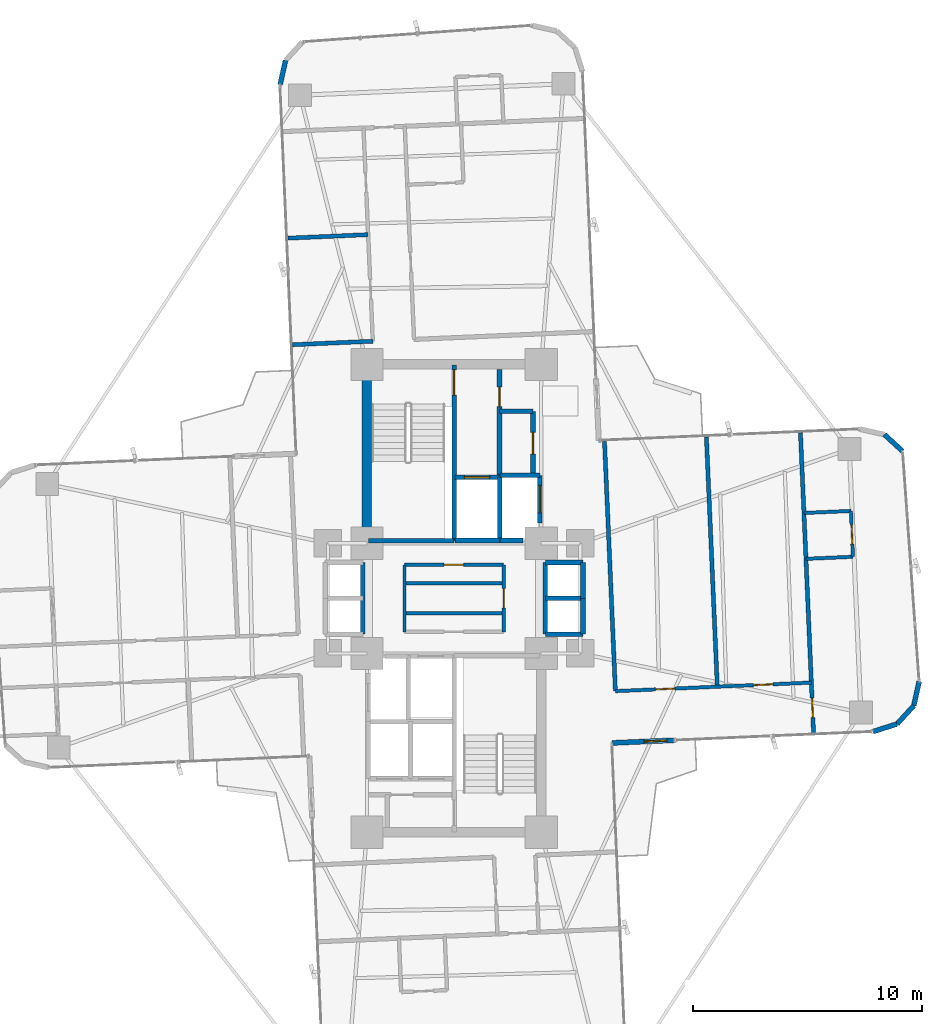
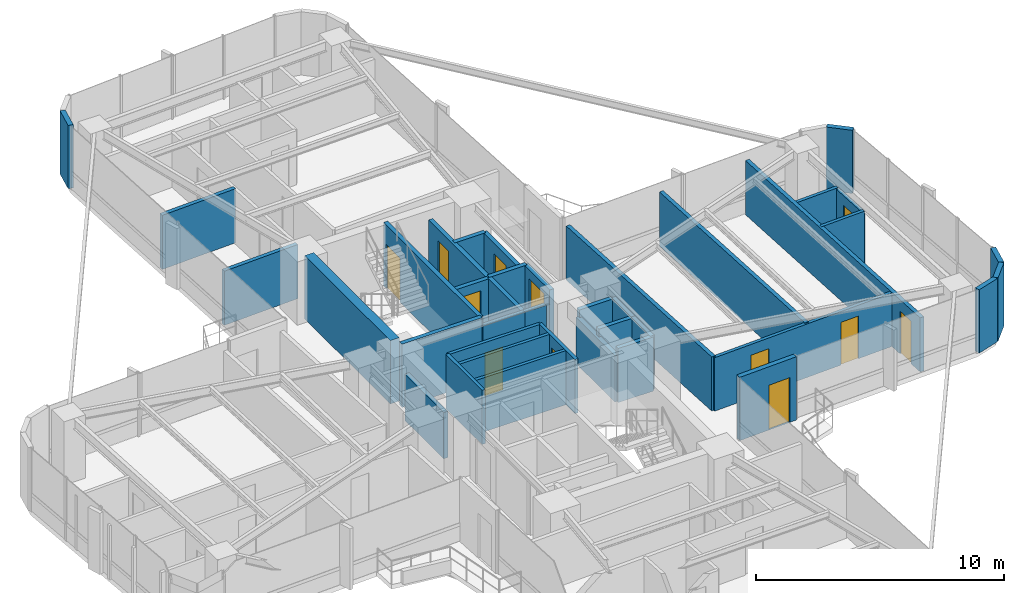
# One storey, part 24 of 26: 39 walls, 12 doors, 12 openings.
"""IFC4 building model written with IfcOpenShell, lengths in metres."""

from ifc_helpers import new_model, si_unit, direction, frame, frame_2d, origin, origin_2d, place, context, subcontext, project, spatial, rectangle, extrude, source, transform, mapped, material, layer, layer_set, type_object, element, fill, save


model = new_model("IFC4")

# Units and contexts
model_context = context("Model", 3, precision=1e-05, world=origin(), true_north=direction((0.0, 1.0)))
body_context = subcontext(model_context, "Body", "Model", "MODEL_VIEW")
ifc_project = project(units=[si_unit("LENGTHUNIT", "METRE"), si_unit("AREAUNIT", "SQUARE_METRE"), si_unit("VOLUMEUNIT", "CUBIC_METRE"), si_unit("PLANEANGLEUNIT", "RADIAN"), si_unit("MASSUNIT", "GRAM", prefix="KILO")], contexts=[model_context])

# Site, building, storey
site_placement = place(None, origin())
site = spatial("IfcSite", under=ifc_project, at=site_placement, CompositionType="ELEMENT")
building_placement = place(site_placement, origin())
building = spatial("IfcBuilding", under=site, at=building_placement, Name="Sahyath Konkavel Grand Hotel", CompositionType="ELEMENT")
storey_placement = place(building_placement, frame((0.0, 0.0, 100.25)))
storey = spatial("IfcBuildingStorey", under=building, at=storey_placement, Name="L27", CompositionType="ELEMENT", Elevation=100.25)

# Wall
ifc_material_1 = material(Name="Concrete C50/60", Category="concrete")
ifc_layer_1 = layer(ifc_material_1, 0.419921875)
ifc_layer_set_1 = layer_set([ifc_layer_1], Name="Concrete C50/60")
wall_type_1 = type_object("IfcWallType", Name="CWALL-420", PredefinedType="SHEAR", material=ifc_layer_set_1)
wall_1_placement = place(storey_placement, frame((-3.800048828125, 2.85009765625, 0.0), z_axis=(0.0, 0.0, 1.0), x_axis=(0.0, 1.0, 0.0)))
element("IfcWall", 1, at=wall_1_placement, inside=storey, type_object=wall_type_1, Name="L27 North Core Shear Wall W", PredefinedType="SHEAR", context=body_context, shape_type="SweptSolid", body=[
    extrude(rectangle(XDim=6.89990234375, YDim=0.419921875, at=frame_2d((3.449951171875, 0.0))), origin(), (0.0, 0.0, 1.0), 3.110107421875),
])

# Wall, opening, door
ifc_material_2 = material(Name="Warm Buff Sandstone Insulated Concrete C40/50", Category="masonry")
ifc_layer_2 = layer(ifc_material_2, 0.219970703125)
ifc_layer_set_2 = layer_set([ifc_layer_2], Name="Warm Buff Sandstone Insulated Concrete C40/50")
wall_type_2 = type_object("IfcWallType", Name="WLL-BALC-THRESH", PredefinedType="STANDARD", material=ifc_layer_set_2)
wall_2_placement = place(storey_placement, frame((6.881591796875, -6.305908203125, 0.0), z_axis=(0.0, 0.0, 1.0), x_axis=(0.999045894436, 0.043672655174, 0.0)))
wall_2 = element("IfcWall", 2, at=wall_2_placement, inside=storey, type_object=wall_type_2, Name="L27 Winter-Garden Threshold Wall 0", PredefinedType="STANDARD", context=body_context, shape_type="SweptSolid", body=[
    extrude(rectangle(XDim=2.7001953125, YDim=0.219970703125, at=frame_2d((1.35009765625, 0.0))), origin(), (0.0, 0.0, 1.0), 3.110107421875),
])
opening_1_placement = place(wall_2_placement, frame((1.39990234375, 0.0, 0.0)))
opening_1 = element("IfcOpeningElement", 3, at=opening_1_placement, cuts=wall_2, Name="Opening D-TR1", PredefinedType="OPENING", context=body_context, shape_type="SweptSolid", body=[
    extrude(rectangle(XDim=1.0, YDim=2.199951171875, at=frame_2d((0.5, 1.10009765625))), frame((0.0, 0.1201171875, 0.0), z_axis=(0.0, -1.0, 0.0), x_axis=(1.0, 0.0, 0.0)), (0.0, 0.0, 1.0), 0.239990234375),
])
ifc_material_3 = material(Name="Anodised Bronze Aluminium & Low-E Glazing", Category="aluminium")
door_type_1 = type_object("IfcDoorType", Name="DR-TERRACE-1000", OperationType="NOTDEFINED", PredefinedType="DOOR", material=ifc_material_3)
shared_shape_1 = source(origin(), body_context, "Body", "SweptSolid", [
    extrude(rectangle(XDim=1.0, YDim=0.050048828125, at=origin_2d()), origin(), (0.0, 0.0, 1.0), 2.199951171875),
])
door_1_placement = place(opening_1_placement, frame((0.5, 0.0, 0.0)))
door_1 = element("IfcDoor", 4, at=door_1_placement, inside=storey, type_object=door_type_1, Name="L27 Winter-Garden Terrace Door 0", OperationType="SINGLE_SWING_LEFT", OverallHeight=2.199951171875, OverallWidth=1.0, PredefinedType="DOOR", context=body_context, shape_type="MappedRepresentation", body=[
    mapped(shared_shape_1, transform((0.0, 0.0, 0.0), scale=1.0)),
])
fill(opening_1, door_1)

# Walls
for number, where, z_axis, x_axis, name in (
    (5, (18.270751953125, -5.80859375, 0.0), (0.0, 0.0, 1.0), (0.953721713582, 0.30069069331, 0.0), "L27 Rounded Corner Sandstone Pier 1"),
    (6, (19.3076171875, -5.481689453125, 0.0), (0.0, 0.0, 1.0), (0.675551721847, 0.737312600672, 0.0), "L27 Rounded Corner Sandstone Pier 2"),
):
    element("IfcWall", number, at=place(storey_placement, frame(where, z_axis=z_axis, x_axis=x_axis)), inside=storey, type_object=wall_type_2, Name=name, PredefinedType="STANDARD", context=body_context, shape_type="SweptSolid", body=[
        extrude(rectangle(XDim=1.087158203125, YDim=0.219970703125, at=frame_2d((0.54345703125, 0.0))), origin(), (0.0, 0.0, 1.0), 3.110107421875),
    ])
for number, where, z_axis, x_axis, name in (
    (7, (20.0419921875, -4.68017578125, 0.0), (0.0, 0.0, 1.0), (0.216288323511, 0.976329535102, 0.0), "L27 Rounded Corner Sandstone Pier 3"),
    (8, (19.5576171875, 6.4091796875, 0.0), (0.0, 0.0, 1.0), (-0.737210081318, 0.675663596772, 0.0), "L27 Rounded Corner Sandstone Pier 5"),
):
    element("IfcWall", number, at=place(storey_placement, frame(where, z_axis=z_axis, x_axis=x_axis)), inside=storey, type_object=wall_type_2, Name=name, PredefinedType="STANDARD", context=body_context, shape_type="SweptSolid", body=[
        extrude(rectangle(XDim=1.0869140625, YDim=0.219970703125, at=frame_2d((0.54345703125, 0.0))), origin(), (0.0, 0.0, 1.0), 3.110107421875),
    ])
wall_3_placement = place(storey_placement, frame((-7.3486328125, 23.451904296875, 0.0), z_axis=(0.0, 0.0, 1.0), x_axis=(-0.216454939174, -0.976292609471, 0.0)))
element("IfcWall", 9, at=wall_3_placement, inside=storey, type_object=wall_type_2, Name="L27 Rounded Corner Sandstone Pier 14", PredefinedType="STANDARD", context=body_context, shape_type="SweptSolid", body=[
    extrude(rectangle(XDim=1.08740234375, YDim=0.219970703125, at=frame_2d((0.543701171875, 0.0))), origin(), (0.0, 0.0, 1.0), 3.110107421875),
])

# Wall, opening, door
ifc_material_4 = material(Name="Concrete C40/50", Category="concrete")
ifc_layer_3 = layer(ifc_material_4, 0.199951171875)
ifc_layer_set_3 = layer_set([ifc_layer_3], Name="Concrete C40/50")
wall_type_3 = type_object("IfcWallType", Name="WLL-CORE-200", PredefinedType="SOLIDWALL", material=ifc_layer_set_3)
wall_4_placement = place(storey_placement, frame((0.0, 2.5, 0.0), z_axis=(0.0, 0.0, 1.0), x_axis=(0.0, 1.0, 0.0)))
wall_4 = element("IfcWall", 10, at=wall_4_placement, inside=storey, type_object=wall_type_3, Name="L27 Stair ST-1 Shaft Wall E", PredefinedType="SOLIDWALL", context=body_context, shape_type="SweptSolid", body=[
    extrude(rectangle(XDim=7.679931640625, YDim=0.199951171875, at=frame_2d((3.83984375, 0.0))), origin(), (0.0, 0.0, 1.0), 3.110107421875),
])
opening_2_placement = place(wall_4_placement, frame((6.360107421875, 0.0, 0.0)))
opening_2 = element("IfcOpeningElement", 11, at=opening_2_placement, cuts=wall_4, Name="Opening D-F12B", PredefinedType="OPENING", context=body_context, shape_type="SweptSolid", body=[
    extrude(rectangle(XDim=1.10009765625, YDim=2.14990234375, at=frame_2d((0.550048828125, 1.074951171875))), frame((0.0, 0.10986328125, 0.0), z_axis=(0.0, -1.0, 0.0), x_axis=(1.0, 0.0, 0.0)), (0.0, 0.0, 1.0), 0.219970703125),
])
ifc_material_5 = material(Name="Steel E350 Smokeproof Fire Door", Category="steel")
door_type_2 = type_object("IfcDoorType", Name="DR-FD120-1100", OperationType="NOTDEFINED", PredefinedType="DOOR", material=ifc_material_5)
shared_shape_2 = source(origin(), body_context, "Body", "SweptSolid", [
    extrude(rectangle(XDim=1.10009765625, YDim=0.050048828125, at=origin_2d()), origin(), (0.0, 0.0, 1.0), 2.14990234375),
])
door_2_placement = place(opening_2_placement, frame((0.550048828125, 0.0, 0.0)))
door_2 = element("IfcDoor", 12, at=door_2_placement, inside=storey, type_object=door_type_2, Name="L27 Stair ST-1 Fire Door", OperationType="SINGLE_SWING_LEFT", OverallHeight=2.14990234375, OverallWidth=1.10009765625, PredefinedType="DOOR", context=body_context, shape_type="MappedRepresentation", body=[
    mapped(shared_shape_2, transform((0.0, 0.0, 0.0), scale=1.0)),
])
fill(opening_2, door_2)

# Wall
wall_5_placement = place(storey_placement, frame((-3.719970703125, 2.5, 0.0), z_axis=(0.0, 0.0, 1.0), x_axis=(1.0, 0.0, 0.0)))
element("IfcWall", 13, at=wall_5_placement, inside=storey, type_object=wall_type_3, Name="L27 Stair ST-1 Shaft Wall S", PredefinedType="SOLIDWALL", context=body_context, shape_type="SweptSolid", body=[
    extrude(rectangle(XDim=3.719970703125, YDim=0.199951171875, at=frame_2d((1.85986328125, 0.0))), origin(), (0.0, 0.0, 1.0), 3.110107421875),
])

# Wall, opening, door
wall_6_placement = place(storey_placement, frame((1.97998046875, 5.320068359375, 0.0), z_axis=(0.0, 0.0, 1.0), x_axis=(0.0, 1.0, 0.0)))
wall_6 = element("IfcWall", 14, at=wall_6_placement, inside=storey, type_object=wall_type_3, Name="L27 North Firefighting Lobby Wall E", PredefinedType="SOLIDWALL", context=body_context, shape_type="SweptSolid", body=[
    extrude(rectangle(XDim=4.659912109375, YDim=0.199951171875, at=frame_2d((2.330078125, 0.0))), origin(), (0.0, 0.0, 1.0), 2.659912109375),
])
opening_3_placement = place(wall_6_placement, frame((3.0400390625, 0.0, 0.0)))
opening_3 = element("IfcOpeningElement", 15, at=opening_3_placement, cuts=wall_6, Name="Opening D-F12D", PredefinedType="OPENING", context=body_context, shape_type="SweptSolid", body=[
    extrude(rectangle(XDim=0.85009765625, YDim=2.10009765625, at=frame_2d((0.425048828125, 1.050048828125))), frame((0.0, 0.10986328125, 0.0), z_axis=(0.0, -1.0, 0.0), x_axis=(1.0, 0.0, 0.0)), (0.0, 0.0, 1.0), 0.219970703125),
])
ifc_material_6 = material(Name="Steel E350 Core Fire Door", Category="steel")
door_type_3 = type_object("IfcDoorType", Name="DR-FD120-850", OperationType="NOTDEFINED", PredefinedType="DOOR", material=ifc_material_6)
shared_shape_3 = source(origin(), body_context, "Body", "SweptSolid", [
    extrude(rectangle(XDim=0.85009765625, YDim=0.050048828125, at=origin_2d()), origin(), (0.0, 0.0, 1.0), 2.10009765625),
])
door_3_placement = place(opening_3_placement, frame((0.425048828125, 0.0, 0.0)))
door_3 = element("IfcDoor", 16, at=door_3_placement, inside=storey, type_object=door_type_3, Name="L27 North Firefighting Lobby Door", OperationType="SINGLE_SWING_LEFT", OverallHeight=2.10009765625, OverallWidth=0.85009765625, PredefinedType="DOOR", context=body_context, shape_type="MappedRepresentation", body=[
    mapped(shared_shape_3, transform((0.0, 0.0, 0.0), scale=1.0)),
])
fill(opening_3, door_3)

# Walls
wall_7_placement = place(storey_placement, frame((2.0, 2.5, 0.0), z_axis=(0.0, 0.0, 1.0), x_axis=(0.0, 1.0, 0.0)))
element("IfcWall", 17, at=wall_7_placement, inside=storey, type_object=wall_type_3, Name="L27 Partition SH-FFL1-E", PredefinedType="SOLIDWALL", context=body_context, shape_type="SweptSolid", body=[
    extrude(rectangle(XDim=2.780029296875, YDim=0.199951171875, at=frame_2d((1.39013671875, 0.0))), origin(), (0.0, 0.0, 1.0), 2.659912109375),
])
wall_8_placement = place(storey_placement, frame((0.050048828125, 2.52001953125, 0.0), z_axis=(0.0, 0.0, 1.0), x_axis=(1.0, 0.0, 0.0)))
element("IfcWall", 18, at=wall_8_placement, inside=storey, type_object=wall_type_3, Name="L27 Partition SH-FFL1-S", PredefinedType="SOLIDWALL", context=body_context, shape_type="SweptSolid", body=[
    extrude(rectangle(XDim=1.949951171875, YDim=0.199951171875, at=frame_2d((0.97509765625, 0.0))), origin(), (0.0, 0.0, 1.0), 2.659912109375),
])

# Wall, opening, door
wall_9_placement = place(storey_placement, frame((0.050048828125, 5.280029296875, 0.0), z_axis=(0.0, 0.0, 1.0), x_axis=(1.0, 0.0, 0.0)))
wall_9 = element("IfcWall", 19, at=wall_9_placement, inside=storey, type_object=wall_type_3, Name="L27 Partition SH-FFL1-N", PredefinedType="SOLIDWALL", context=body_context, shape_type="SweptSolid", body=[
    extrude(rectangle(XDim=1.929931640625, YDim=0.199951171875, at=frame_2d((0.96484375, 0.0))), origin(), (0.0, 0.0, 1.0), 2.659912109375),
])
opening_4_placement = place(wall_9_placement, frame((0.39990234375, 0.0, 0.0)))
opening_4 = element("IfcOpeningElement", 20, at=opening_4_placement, cuts=wall_9, Name="Opening LD-11", PredefinedType="OPENING", context=body_context, shape_type="SweptSolid", body=[
    extrude(rectangle(XDim=1.10009765625, YDim=2.199951171875, at=frame_2d((0.550048828125, 1.10009765625))), frame((0.0, 0.10986328125, 0.0), z_axis=(0.0, -1.0, 0.0), x_axis=(1.0, 0.0, 0.0)), (0.0, 0.0, 1.0), 0.219970703125),
])
ifc_material_7 = material(Name="Bronze Lift Landing Door 1100")
door_type_4 = type_object("IfcDoorType", Name="DR-LIFT-1100", OperationType="DOUBLE_DOOR_SLIDING", PredefinedType="DOOR", material=ifc_material_7)
shared_shape_4 = source(origin(), body_context, "Body", "SweptSolid", [
    extrude(rectangle(XDim=1.10009765625, YDim=0.050048828125, at=origin_2d()), origin(), (0.0, 0.0, 1.0), 2.199951171875),
])
door_4_placement = place(opening_4_placement, frame((0.550048828125, 0.0, 0.0)))
door_4 = element("IfcDoor", 21, at=door_4_placement, inside=storey, type_object=door_type_4, Name="L27 Lift FFL-1 Landing Door", OperationType="DOUBLE_DOOR_SLIDING", OverallHeight=2.199951171875, OverallWidth=1.10009765625, PredefinedType="DOOR", context=body_context, shape_type="MappedRepresentation", body=[
    mapped(shared_shape_4, transform((0.0, 0.0, 0.0), scale=1.0)),
])
fill(opening_4, door_4)

# Walls
wall_10_placement = place(storey_placement, frame((2.0, 2.52001953125, 0.0), z_axis=(0.0, 0.0, 1.0), x_axis=(1.0, 0.0, 0.0)))
element("IfcWall", 22, at=wall_10_placement, inside=storey, type_object=wall_type_3, Name="L27 Partition SH-SVL1-S", PredefinedType="SOLIDWALL", context=body_context, shape_type="SweptSolid", body=[
    extrude(rectangle(XDim=1.0, YDim=0.199951171875, at=frame_2d((0.5, 0.0))), origin(), (0.0, 0.0, 1.0), 2.659912109375),
])
wall_11_placement = place(storey_placement, frame((2.0, 5.360107421875, 0.0), z_axis=(0.0, 0.0, 1.0), x_axis=(1.0, 0.0, 0.0)))
element("IfcWall", 23, at=wall_11_placement, inside=storey, type_object=wall_type_3, Name="L27 Partition SH-SVL1-N", PredefinedType="SOLIDWALL", context=body_context, shape_type="SweptSolid", body=[
    extrude(rectangle(XDim=1.739990234375, YDim=0.199951171875, at=frame_2d((0.8701171875, 0.0))), origin(), (0.0, 0.0, 1.0), 2.659912109375),
])

# Wall, opening, door
wall_12_placement = place(storey_placement, frame((3.739990234375, 3.280029296875, 0.0), z_axis=(0.0, 0.0, 1.0), x_axis=(0.0, 1.0, 0.0)))
wall_12 = element("IfcWall", 24, at=wall_12_placement, inside=storey, type_object=wall_type_3, Name="L27 Partition SH-SVL1-E", PredefinedType="SOLIDWALL", context=body_context, shape_type="SweptSolid", body=[
    extrude(rectangle(XDim=2.080078125, YDim=0.199951171875, at=frame_2d((1.0400390625, 0.0))), origin(), (0.0, 0.0, 1.0), 2.659912109375),
])
opening_5_placement = place(wall_12_placement, frame((0.43994140625, 0.0, 0.0)))
opening_5 = element("IfcOpeningElement", 25, at=opening_5_placement, cuts=wall_12, Name="Opening LD-12", PredefinedType="OPENING", context=body_context, shape_type="SweptSolid", body=[
    extrude(rectangle(XDim=1.199951171875, YDim=2.199951171875, at=frame_2d((0.60009765625, 1.10009765625))), frame((0.0, 0.10986328125, 0.0), z_axis=(0.0, -1.0, 0.0), x_axis=(1.0, 0.0, 0.0)), (0.0, 0.0, 1.0), 0.219970703125),
])
ifc_material_8 = material(Name="Stainless Steel Lift Landing Door 1200", Category="steel")
door_type_5 = type_object("IfcDoorType", Name="DR-LIFT-1200", OperationType="DOUBLE_DOOR_SLIDING", PredefinedType="DOOR", material=ifc_material_8)
shared_shape_5 = source(origin(), body_context, "Body", "SweptSolid", [
    extrude(rectangle(XDim=1.199951171875, YDim=0.050048828125, at=origin_2d()), origin(), (0.0, 0.0, 1.0), 2.199951171875),
])
door_5_placement = place(opening_5_placement, frame((0.60009765625, 0.0, 0.0)))
door_5 = element("IfcDoor", 26, at=door_5_placement, inside=storey, type_object=door_type_5, Name="L27 Service Lift SVL-1 Landing Door", OperationType="DOUBLE_DOOR_SLIDING", OverallHeight=2.199951171875, OverallWidth=1.199951171875, PredefinedType="DOOR", context=body_context, shape_type="MappedRepresentation", body=[
    mapped(shared_shape_5, transform((0.0, 0.0, 0.0), scale=1.0)),
])
fill(opening_5, door_5)

# Walls
wall_13_placement = place(storey_placement, frame((3.97998046875, -1.56005859375, 0.0), z_axis=(0.0, 0.0, 1.0), x_axis=(0.0, 1.0, 0.0)))
element("IfcWall", 27, at=wall_13_placement, inside=storey, type_object=wall_type_3, Name="L27 Partition SH-PL56-W", PredefinedType="SOLIDWALL", context=body_context, shape_type="SweptSolid", body=[
    extrude(rectangle(XDim=3.1201171875, YDim=0.199951171875, at=frame_2d((1.56005859375, 0.0))), origin(), (0.0, 0.0, 1.0), 2.280029296875),
])
for number, where, z_axis, x_axis, name in (
    (28, (3.97998046875, 1.56005859375, 0.0), (0.0, 0.0, 1.0), (1.0, 0.0, 0.0), "L27 Partition SH-PL56-N"),
    (29, (3.97998046875, -1.56005859375, 0.0), (0.0, 0.0, 1.0), (1.0, 0.0, 0.0), "L27 Partition SH-PL56-S"),
    (30, (3.97998046875, 0.0, 0.0), (0.0, 0.0, 1.0), (1.0, 0.0, 0.0), "L27 Partition SH-PL56-M"),
):
    element("IfcWall", number, at=place(storey_placement, frame(where, z_axis=z_axis, x_axis=x_axis)), inside=storey, type_object=wall_type_3, Name=name, PredefinedType="SOLIDWALL", context=body_context, shape_type="SweptSolid", body=[
        extrude(rectangle(XDim=1.64013671875, YDim=0.199951171875, at=frame_2d((0.820068359375, 0.0))), origin(), (0.0, 0.0, 1.0), 2.659912109375),
    ])
for number, where, z_axis, x_axis, name in (
    (31, (5.6201171875, 0.0, 0.0), (0.0, 0.0, 1.0), (0.0, 1.0, 0.0), "L27 Partition SH-PL5-E"),
    (32, (5.6201171875, -1.56005859375, 0.0), (0.0, 0.0, 1.0), (0.0, 1.0, 0.0), "L27 Partition SH-PL6-E"),
):
    element("IfcWall", number, at=place(storey_placement, frame(where, z_axis=z_axis, x_axis=x_axis)), inside=storey, type_object=wall_type_3, Name=name, PredefinedType="SOLIDWALL", context=body_context, shape_type="SweptSolid", body=[
        extrude(rectangle(XDim=1.56005859375, YDim=0.199951171875, at=frame_2d((0.780029296875, 0.0))), origin(), (0.0, 0.0, 1.0), 2.659912109375),
    ])
wall_14_placement = place(storey_placement, frame((-3.97998046875, -1.56005859375, 0.0), z_axis=(0.0, 0.0, 1.0), x_axis=(0.0, 1.0, 0.0)))
element("IfcWall", 33, at=wall_14_placement, inside=storey, type_object=wall_type_3, Name="L27 Partition SH-SL12-E", PredefinedType="SOLIDWALL", context=body_context, shape_type="SweptSolid", body=[
    extrude(rectangle(XDim=3.1201171875, YDim=0.199951171875, at=frame_2d((1.56005859375, 0.0))), origin(), (0.0, 0.0, 1.0), 2.280029296875),
])

# Wall, opening, door
wall_15_placement = place(storey_placement, frame((3.43994140625, 5.3798828125, 0.0), z_axis=(0.0, 0.0, 1.0), x_axis=(0.0, 1.0, 0.0)))
wall_15 = element("IfcWall", 34, at=wall_15_placement, inside=storey, type_object=wall_type_3, Name="L27 Reclaimed North Core Wall E", PredefinedType="SOLIDWALL", context=body_context, shape_type="SweptSolid", body=[
    extrude(rectangle(XDim=2.77001953125, YDim=0.199951171875, at=frame_2d((1.385009765625, 0.0))), origin(), (0.0, 0.0, 1.0), 2.659912109375),
])
opening_6_placement = place(wall_15_placement, frame((0.89990234375, 0.0, 0.0)))
opening_6 = element("IfcOpeningElement", 35, at=opening_6_placement, cuts=wall_15, Name="Opening D-F06B", PredefinedType="OPENING", context=body_context, shape_type="SweptSolid", body=[
    extrude(rectangle(XDim=0.949951171875, YDim=2.14990234375, at=frame_2d((0.47509765625, 1.074951171875))), frame((0.0, 0.10986328125, 0.0), z_axis=(0.0, -1.0, 0.0), x_axis=(1.0, 0.0, 0.0)), (0.0, 0.0, 1.0), 0.219970703125),
])
ifc_material_9 = material(Name="Teak Veneer Fire-Rated Guest Entrance Door")
door_type_6 = type_object("IfcDoorType", Name="DR-FD60-950", OperationType="NOTDEFINED", PredefinedType="DOOR", material=ifc_material_9)
shared_shape_6 = source(origin(), body_context, "Body", "SweptSolid", [
    extrude(rectangle(XDim=0.949951171875, YDim=0.050048828125, at=origin_2d()), origin(), (0.0, 0.0, 1.0), 2.14990234375),
])
door_6_placement = place(opening_6_placement, frame((0.47509765625, 0.0, 0.0)))
door_6 = element("IfcDoor", 36, at=door_6_placement, inside=storey, type_object=door_type_6, Name="L27 Door NC-REC1-D", OperationType="SINGLE_SWING_RIGHT", OverallHeight=2.14990234375, OverallWidth=0.949951171875, PredefinedType="DOOR", context=body_context, shape_type="MappedRepresentation", body=[
    mapped(shared_shape_6, transform((0.0, 0.0, 0.0), scale=1.0)),
])
fill(opening_6, door_6)

# Walls
wall_16_placement = place(storey_placement, frame((1.97998046875, 8.14990234375, 0.0), z_axis=(0.0, 0.0, 1.0), x_axis=(1.0, 0.0, 0.0)))
element("IfcWall", 37, at=wall_16_placement, inside=storey, type_object=wall_type_3, Name="L27 Partition NC-REC-N", PredefinedType="SOLIDWALL", context=body_context, shape_type="SweptSolid", body=[
    extrude(rectangle(XDim=1.4599609375, YDim=0.199951171875, at=frame_2d((0.72998046875, 0.0))), origin(), (0.0, 0.0, 1.0), 2.659912109375),
])
ifc_material_10 = material(Name="Twin-Stud Acoustic Gypsum Plasterboard Partition")
ifc_layer_4 = layer(ifc_material_10, 0.179931640625)
ifc_layer_set_4 = layer_set([ifc_layer_4], Name="Twin-Stud Acoustic Gypsum Plasterboard Partition")
wall_type_4 = type_object("IfcWallType", Name="WLL-DEMISE-180", PredefinedType="PARTITIONING", material=ifc_layer_set_4)
wall_17_placement = place(storey_placement, frame((7.033203125, -4.047119140625, 0.0), z_axis=(0.0, 0.0, 1.0), x_axis=(-0.043609267053, 0.999048663393, 0.0)))
element("IfcWall", 38, at=wall_17_placement, inside=storey, type_object=wall_type_4, Name="L27 Partition E-G6I", PredefinedType="PARTITIONING", context=body_context, shape_type="SweptSolid", body=[
    extrude(rectangle(XDim=10.89990234375, YDim=0.179931640625, at=frame_2d((5.449951171875, 0.0))), origin(), (0.0, 0.0, 1.0), 2.659912109375),
])
wall_18_placement = place(storey_placement, frame((11.47509765625, -3.85302734375, 0.0), z_axis=(0.0, 0.0, 1.0), x_axis=(-0.043631622609, 0.999047687305, 0.0)))
element("IfcWall", 39, at=wall_18_placement, inside=storey, type_object=wall_type_4, Name="L27 Partition E-ESL6-DEM", PredefinedType="PARTITIONING", context=body_context, shape_type="SweptSolid", body=[
    extrude(rectangle(XDim=10.900146484375, YDim=0.179931640625, at=frame_2d((5.4501953125, 0.0))), origin(), (0.0, 0.0, 1.0), 2.659912109375),
])

# Wall, opening, door
wall_19_placement = place(storey_placement, frame((15.6708984375, -5.8720703125, 0.0), z_axis=(0.0, 0.0, 1.0), x_axis=(-0.043609488494, 0.999048653727, 0.0)))
wall_19 = element("IfcWall", 40, at=wall_19_placement, inside=storey, type_object=wall_type_4, Name="L27 Partition E-ETIP-END", PredefinedType="PARTITIONING", context=body_context, shape_type="SweptSolid", body=[
    extrude(rectangle(XDim=13.10009765625, YDim=0.179931640625, at=frame_2d((6.550048828125, 0.0))), origin(), (0.0, 0.0, 1.0), 2.659912109375),
])
opening_7_placement = place(wall_19_placement, frame((0.675048828125, 0.0, 0.0)))
opening_7 = element("IfcOpeningElement", 41, at=opening_7_placement, cuts=wall_19, Name="Opening D-F06D", PredefinedType="OPENING", context=body_context, shape_type="SweptSolid", body=[
    extrude(rectangle(XDim=0.85009765625, YDim=2.10009765625, at=frame_2d((0.425048828125, 1.050048828125))), frame((0.0, 0.10009765625, 0.0), z_axis=(0.0, -1.0, 0.0), x_axis=(1.0, 0.0, 0.0)), (0.0, 0.0, 1.0), 0.199951171875),
])
ifc_material_11 = material(Name="Fire-Rated Shaft Access Door")
door_type_7 = type_object("IfcDoorType", Name="DR-FD60-850", OperationType="NOTDEFINED", PredefinedType="DOOR", material=ifc_material_11)
door_7_placement = place(opening_7_placement, frame((0.425048828125, 0.0, 0.0)))
door_7 = element("IfcDoor", 42, at=door_7_placement, inside=storey, type_object=door_type_7, Name="L27 Door E-ETIP-ED", OperationType="SINGLE_SWING_LEFT", OverallHeight=2.10009765625, OverallWidth=0.85009765625, PredefinedType="DOOR", context=body_context, shape_type="MappedRepresentation", body=[
    mapped(shared_shape_3, transform((0.0, 0.0, 0.0), scale=1.0)),
])
fill(opening_7, door_7)

# Walls
for number, where, z_axis, x_axis, name in (
    (43, (-3.542236328125, 11.206298828125, 0.0), (0.0, 0.0, 1.0), (-0.999046129111, -0.04366728647, 0.0), "L27 Partition N-INL"),
    (44, (-3.7451171875, 15.851806640625, 0.0), (0.0, 0.0, 1.0), (-0.999049169846, -0.043597663116, 0.0), "L27 Partition N-N4L1-DEM"),
):
    element("IfcWall", number, at=place(storey_placement, frame(where, z_axis=z_axis, x_axis=x_axis)), inside=storey, type_object=wall_type_4, Name=name, PredefinedType="PARTITIONING", context=body_context, shape_type="SweptSolid", body=[
        extrude(rectangle(XDim=3.5, YDim=0.179931640625, at=frame_2d((1.75, 0.0))), origin(), (0.0, 0.0, 1.0), 2.659912109375),
    ])

# Wall, opening, door
ifc_material_12 = material(Name="Fire-Rated Gypsum Plasterboard Partition")
ifc_layer_5 = layer(ifc_material_12, 0.14990234375)
ifc_layer_set_5 = layer_set([ifc_layer_5], Name="Fire-Rated Gypsum Plasterboard Partition")
wall_type_5 = type_object("IfcWallType", Name="WLL-PART-150", PredefinedType="PARTITIONING", material=ifc_layer_set_5)
wall_20_placement = place(storey_placement, frame((2.159912109375, -1.4599609375, 0.0), z_axis=(0.0, 0.0, 1.0), x_axis=(0.0, 1.0, 0.0)))
wall_20 = element("IfcWall", 45, at=wall_20_placement, inside=storey, type_object=wall_type_5, Name="L27 Partition CC-2E", PredefinedType="PARTITIONING", context=body_context, shape_type="SweptSolid", body=[
    extrude(rectangle(XDim=2.919921875, YDim=0.14990234375, at=frame_2d((1.4599609375, 0.0))), origin(), (0.0, 0.0, 1.0), 2.659912109375),
])
opening_8_placement = place(wall_20_placement, frame((1.034912109375, 0.0, 0.0)))
opening_8 = element("IfcOpeningElement", 46, at=opening_8_placement, cuts=wall_20, Name="Opening D-F06D", PredefinedType="OPENING", context=body_context, shape_type="SweptSolid", body=[
    extrude(rectangle(XDim=0.85009765625, YDim=2.10009765625, at=frame_2d((0.425048828125, 1.050048828125))), frame((0.0, 0.0849609375, 0.0), z_axis=(0.0, -1.0, 0.0), x_axis=(1.0, 0.0, 0.0)), (0.0, 0.0, 1.0), 0.169921875),
])
door_8_placement = place(opening_8_placement, frame((0.425048828125, 0.0, 0.0)))
door_8 = element("IfcDoor", 47, at=door_8_placement, inside=storey, type_object=door_type_7, Name="L27 Door CC-D2B", OperationType="SINGLE_SWING_RIGHT", OverallHeight=2.10009765625, OverallWidth=0.85009765625, PredefinedType="DOOR", context=body_context, shape_type="MappedRepresentation", body=[
    mapped(shared_shape_3, transform((0.0, 0.0, 0.0), scale=1.0)),
])
fill(opening_8, door_8)

# Wall
wall_21_placement = place(storey_placement, frame((-2.159912109375, -1.4599609375, 0.0), z_axis=(0.0, 0.0, 1.0), x_axis=(0.0, 1.0, 0.0)))
element("IfcWall", 48, at=wall_21_placement, inside=storey, type_object=wall_type_5, Name="L27 Partition CC-2W", PredefinedType="PARTITIONING", context=body_context, shape_type="SweptSolid", body=[
    extrude(rectangle(XDim=2.919921875, YDim=0.14990234375, at=frame_2d((1.4599609375, 0.0))), origin(), (0.0, 0.0, 1.0), 2.659912109375),
])

# Wall, opening, door
wall_22_placement = place(storey_placement, frame((-2.159912109375, 1.4599609375, 0.0), z_axis=(0.0, 0.0, 1.0), x_axis=(1.0, 0.0, 0.0)))
wall_22 = element("IfcWall", 49, at=wall_22_placement, inside=storey, type_object=wall_type_5, Name="L27 Partition CC-2N", PredefinedType="PARTITIONING", context=body_context, shape_type="SweptSolid", body=[
    extrude(rectangle(XDim=4.31982421875, YDim=0.14990234375, at=frame_2d((2.159912109375, 0.0))), origin(), (0.0, 0.0, 1.0), 2.659912109375),
])
opening_9_placement = place(wall_22_placement, frame((1.72998046875, 0.0, 0.0)))
opening_9 = element("IfcOpeningElement", 50, at=opening_9_placement, cuts=wall_22, Name="Opening D-F06D", PredefinedType="OPENING", context=body_context, shape_type="SweptSolid", body=[
    extrude(rectangle(XDim=0.85009765625, YDim=2.10009765625, at=frame_2d((0.425048828125, 1.050048828125))), frame((0.0, 0.0849609375, 0.0), z_axis=(0.0, -1.0, 0.0), x_axis=(1.0, 0.0, 0.0)), (0.0, 0.0, 1.0), 0.169921875),
])
door_9_placement = place(opening_9_placement, frame((0.425048828125, 0.0, 0.0)))
door_9 = element("IfcDoor", 51, at=door_9_placement, inside=storey, type_object=door_type_7, Name="L27 Door CC-D2A", OperationType="SINGLE_SWING_LEFT", OverallHeight=2.10009765625, OverallWidth=0.85009765625, PredefinedType="DOOR", context=body_context, shape_type="MappedRepresentation", body=[
    mapped(shared_shape_3, transform((0.0, 0.0, 0.0), scale=1.0)),
])
fill(opening_9, door_9)

# Walls
for number, where, z_axis, x_axis, name in (
    (52, (-2.159912109375, 0.659912109375, 0.0), (0.0, 0.0, 1.0), (1.0, 0.0, 0.0), "L27 Partition CC-2M1"),
    (53, (-2.159912109375, -0.659912109375, 0.0), (0.0, 0.0, 1.0), (1.0, 0.0, 0.0), "L27 Partition CC-2M2"),
):
    element("IfcWall", number, at=place(storey_placement, frame(where, z_axis=z_axis, x_axis=x_axis)), inside=storey, type_object=wall_type_5, Name=name, PredefinedType="PARTITIONING", context=body_context, shape_type="SweptSolid", body=[
        extrude(rectangle(XDim=4.31982421875, YDim=0.14990234375, at=frame_2d((2.159912109375, 0.0))), origin(), (0.0, 0.0, 1.0), 2.659912109375),
    ])

# Wall, openings, doors
wall_23_placement = place(storey_placement, frame((7.033203125, -4.047119140625, 0.0), z_axis=(0.0, 0.0, 1.0), x_axis=(0.999047735077, 0.04363052873, 0.0)))
wall_23 = element("IfcWall", 54, at=wall_23_placement, inside=storey, type_object=wall_type_5, Name="L27 Partition E-G6W", PredefinedType="PARTITIONING", context=body_context, shape_type="SweptSolid", body=[
    extrude(rectangle(XDim=8.550048828125, YDim=0.14990234375, at=frame_2d((4.27490234375, 0.0))), origin(), (0.0, 0.0, 1.0), 2.6298828125),
])
opening_10_placement = place(wall_23_placement, frame((1.748046875, 0.0, 0.0)))
opening_10 = element("IfcOpeningElement", 55, at=opening_10_placement, cuts=wall_23, Name="Opening D-F06D", PredefinedType="OPENING", context=body_context, shape_type="SweptSolid", body=[
    extrude(rectangle(XDim=0.85009765625, YDim=2.10009765625, at=frame_2d((0.425048828125, 1.050048828125))), frame((0.0, 0.0849609375, 0.0), z_axis=(0.0, -1.0, 0.0), x_axis=(1.0, 0.0, 0.0)), (0.0, 0.0, 1.0), 0.169921875),
])
opening_11_placement = place(wall_23_placement, frame((6.02294921875, 0.0, 0.0)))
opening_11 = element("IfcOpeningElement", 56, at=opening_11_placement, cuts=wall_23, Name="Opening D-F06D", PredefinedType="OPENING", context=body_context, shape_type="SweptSolid", body=[
    extrude(rectangle(XDim=0.85009765625, YDim=2.10009765625, at=frame_2d((0.425048828125, 1.050048828125))), frame((0.0, 0.0849609375, 0.0), z_axis=(0.0, -1.0, 0.0), x_axis=(1.0, 0.0, 0.0)), (0.0, 0.0, 1.0), 0.169921875),
])
door_10_placement = place(opening_10_placement, frame((0.425048828125, 0.0, 0.0)))
door_10 = element("IfcDoor", 57, at=door_10_placement, inside=storey, type_object=door_type_7, Name="L27 Door E-ESL6-D", OperationType="SINGLE_SWING_RIGHT", OverallHeight=2.10009765625, OverallWidth=0.85009765625, PredefinedType="DOOR", context=body_context, shape_type="MappedRepresentation", body=[
    mapped(shared_shape_3, transform((0.0, 0.0, 0.0), scale=1.0)),
])
fill(opening_10, door_10)
door_11_placement = place(opening_11_placement, frame((0.425048828125, 0.0, 0.0)))
door_11 = element("IfcDoor", 58, at=door_11_placement, inside=storey, type_object=door_type_7, Name="L27 Door E-ED6-D", OperationType="SINGLE_SWING_LEFT", OverallHeight=2.10009765625, OverallWidth=0.85009765625, PredefinedType="DOOR", context=body_context, shape_type="MappedRepresentation", body=[
    mapped(shared_shape_3, transform((0.0, 0.0, 0.0), scale=1.0)),
])
fill(opening_11, door_11)

# Walls
wall_24_placement = place(storey_placement, frame((15.252197265625, 3.71875, 0.0), z_axis=(0.0, 0.0, 1.0), x_axis=(0.999044437927, 0.043705961225, 0.0)))
element("IfcWall", 59, at=wall_24_placement, inside=storey, type_object=wall_type_5, Name="L27 Partition E-ETIP-BN", PredefinedType="PARTITIONING", context=body_context, shape_type="SweptSolid", body=[
    extrude(rectangle(XDim=2.050048828125, YDim=0.14990234375, at=frame_2d((1.02490234375, 0.0))), origin(), (0.0, 0.0, 1.0), 2.6298828125),
])
wall_25_placement = place(storey_placement, frame((15.339599609375, 1.720703125, 0.0), z_axis=(0.0, 0.0, 1.0), x_axis=(0.999044437927, 0.043705961225, 0.0)))
element("IfcWall", 60, at=wall_25_placement, inside=storey, type_object=wall_type_5, Name="L27 Partition E-ETIP-BS", PredefinedType="PARTITIONING", context=body_context, shape_type="SweptSolid", body=[
    extrude(rectangle(XDim=2.050048828125, YDim=0.14990234375, at=frame_2d((1.02490234375, 0.0))), origin(), (0.0, 0.0, 1.0), 2.659912109375),
])

# Wall, opening, door
wall_26_placement = place(storey_placement, frame((17.3876953125, 1.810302734375, 0.0), z_axis=(0.0, 0.0, 1.0), x_axis=(-0.043702097908, 0.999044606931, 0.0)))
wall_26 = element("IfcWall", 61, at=wall_26_placement, inside=storey, type_object=wall_type_5, Name="L27 Partition E-ETIP-BE", PredefinedType="PARTITIONING", context=body_context, shape_type="SweptSolid", body=[
    extrude(rectangle(XDim=2.0, YDim=0.14990234375, at=frame_2d((1.0, 0.0))), origin(), (0.0, 0.0, 1.0), 2.580078125),
])
opening_12_placement = place(wall_26_placement, frame((0.550048828125, 0.0, 0.0)))
opening_12 = element("IfcOpeningElement", 62, at=opening_12_placement, cuts=wall_26, Name="Opening D-BT85", PredefinedType="OPENING", context=body_context, shape_type="SweptSolid", body=[
    extrude(rectangle(XDim=0.85009765625, YDim=2.10009765625, at=frame_2d((0.425048828125, 1.050048828125))), frame((0.0, 0.0849609375, 0.0), z_axis=(0.0, -1.0, 0.0), x_axis=(1.0, 0.0, 0.0)), (0.0, 0.0, 1.0), 0.169921875),
])
ifc_material_13 = material(Name="Moisture-Resistant Teak Bathroom Door")
door_type_8 = type_object("IfcDoorType", Name="DR-BATH-850", OperationType="NOTDEFINED", PredefinedType="DOOR", material=ifc_material_13)
door_12_placement = place(opening_12_placement, frame((0.425048828125, 0.0, 0.0)))
door_12 = element("IfcDoor", 63, at=door_12_placement, inside=storey, type_object=door_type_8, Name="L27 Door E-ETIP-BD", OperationType="SINGLE_SWING_RIGHT", OverallHeight=2.10009765625, OverallWidth=0.85009765625, PredefinedType="DOOR", context=body_context, shape_type="MappedRepresentation", body=[
    mapped(shared_shape_3, transform((0.0, 0.0, 0.0), scale=1.0)),
])
fill(opening_12, door_12)

save(model, "model.ifc")
